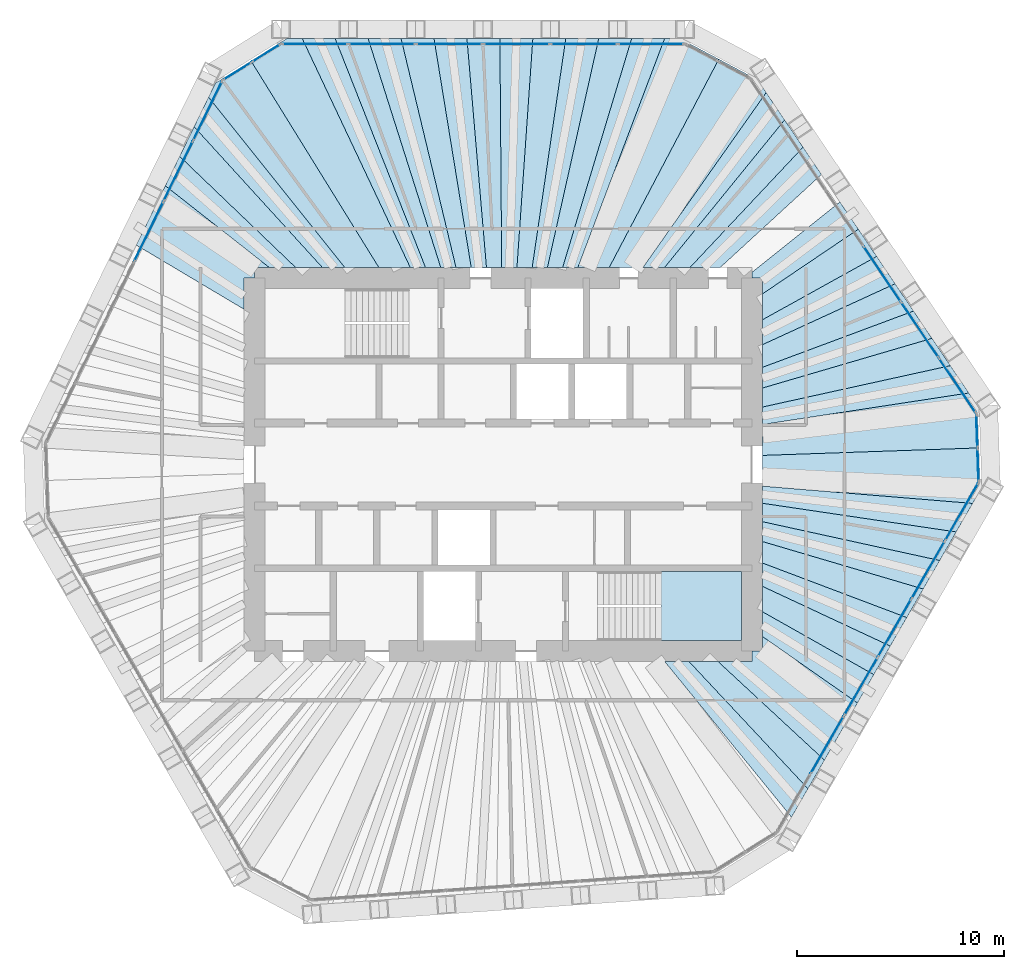
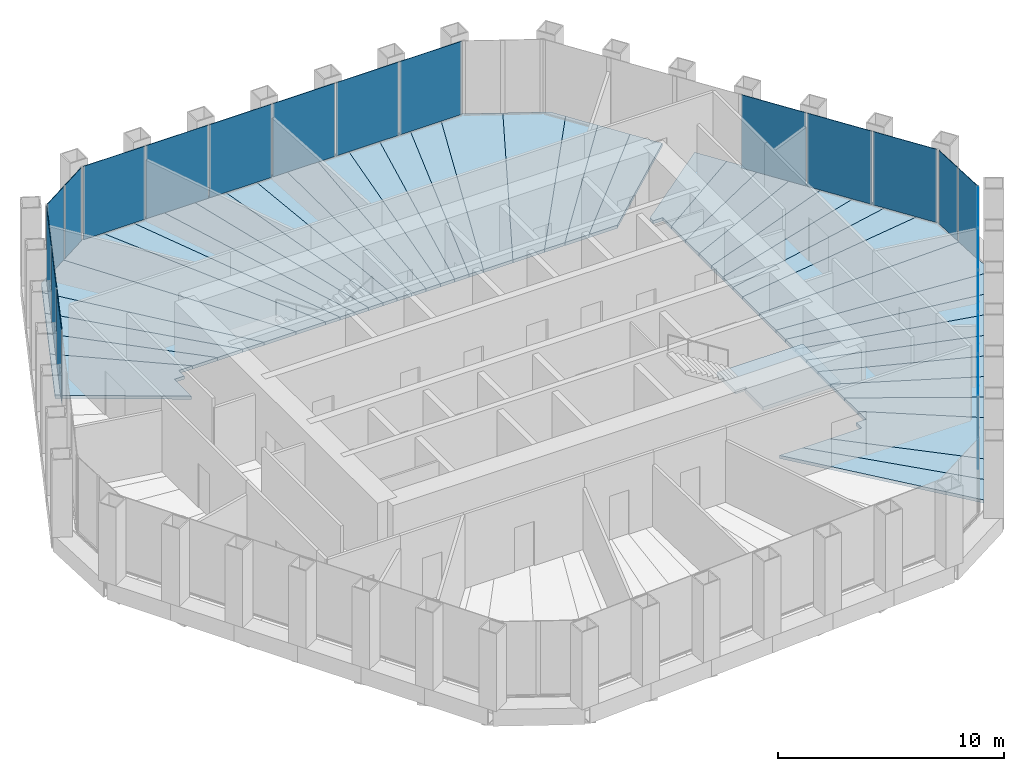
# One storey, part 10 of 14: 42 slabs, 21 plates, 7 elements without a shape of their own.
"""IFC4 building model written with IfcOpenShell, lengths in metres."""

from ifc_helpers import new_model, si_unit, direction, frame, origin, origin_2d, place, context, subcontext, project, spatial, polyline, rectangle, outline, extrude, material, layer, layer_set, type_object, element, aggregate, save


model = new_model("IFC4")

# Units and contexts
model_context = context("Model", 3, precision=1e-05, world=origin(), true_north=direction((0.0, 1.0)))
body_context = subcontext(model_context, "Body", "Model", "MODEL_VIEW")
ifc_project = project(units=[si_unit("LENGTHUNIT", "METRE"), si_unit("AREAUNIT", "SQUARE_METRE"), si_unit("VOLUMEUNIT", "CUBIC_METRE"), si_unit("PLANEANGLEUNIT", "RADIAN"), si_unit("MASSUNIT", "GRAM", prefix="KILO")], contexts=[model_context])

# Site, building, storey
site_placement = place(None, origin())
site = spatial("IfcSite", under=ifc_project, at=site_placement, CompositionType="ELEMENT")
building_placement = place(site_placement, origin())
building = spatial("IfcBuilding", under=site, at=building_placement, Name="Qingtian Harvest Tower", CompositionType="ELEMENT")
storey_placement = place(building_placement, frame((0.0, 0.0, 266.199951171875)))
storey = spatial("IfcBuildingStorey", under=building, at=storey_placement, Name="L58", CompositionType="ELEMENT", Elevation=266.199951171875)

# Slabs
ifc_material_1 = material(Name="Concrete fc' 35 MPa", Category="concrete")
ifc_layer_1 = layer(ifc_material_1, 0.169921875)
ifc_layer_set_1 = layer_set([ifc_layer_1], Name="Composite floor slab FS17 170")
slab_type_1 = type_object("IfcSlabType", Name="Composite floor slab FS17 170", PredefinedType="FLOOR", material=ifc_layer_set_1)
slab_1_placement = place(storey_placement, frame((0.0, 0.0, -0.169921875)))
element("IfcSlab", 1, at=slab_1_placement, inside=storey, type_object=slab_type_1, Name="Floor slab L58 panel D28", PredefinedType="FLOOR", context=body_context, shape_type="SweptSolid", body=[
    extrude(outline(polyline([(8.957275390625, -9.5), (14.703857421875, -15.64208984375), (13.908935546875, -17.01904296875), (7.78515625, -9.5), (8.957275390625, -9.5)])), origin(), (0.0, 0.0, 1.0), 0.169921875),
])
slab_2_placement = place(storey_placement, frame((0.0, 0.0, -0.169921875)))
element("IfcSlab", 2, at=slab_2_placement, inside=storey, type_object=slab_type_1, Name="Floor slab L58 panel D29", PredefinedType="FLOOR", context=body_context, shape_type="SweptSolid", body=[
    extrude(outline(polyline([(10.35693359375, -9.5), (15.498779296875, -14.26513671875), (14.703857421875, -15.64208984375), (8.957275390625, -9.5), (10.35693359375, -9.5)])), origin(), (0.0, 0.0, 1.0), 0.169921875),
])
slab_3_placement = place(storey_placement, frame((0.0, 0.0, -0.169921875)))
element("IfcSlab", 3, at=slab_3_placement, inside=storey, type_object=slab_type_1, Name="Floor slab L58 panel D31", PredefinedType="FLOOR", context=body_context, shape_type="SweptSolid", body=[
    extrude(outline(polyline([(12.5, -8.29443359375), (17.091552734375, -11.506591796875), (15.498779296875, -14.26513671875), (10.35693359375, -9.5), (12.0, -9.5), (12.0, -9.0), (12.5, -9.0), (12.5, -8.29443359375)])), origin(), (0.0, 0.0, 1.0), 0.169921875),
])
slab_4_placement = place(storey_placement, frame((0.0, 0.0, -0.169921875)))
element("IfcSlab", 4, at=slab_4_placement, inside=storey, type_object=slab_type_1, Name="Floor slab L58 panel D32", PredefinedType="FLOOR", context=body_context, shape_type="SweptSolid", body=[
    extrude(outline(polyline([(12.5, -7.099853515625), (17.882080078125, -10.137451171875), (17.091552734375, -11.506591796875), (12.5, -8.29443359375), (12.5, -7.099853515625)])), origin(), (0.0, 0.0, 1.0), 0.169921875),
])
slab_5_placement = place(storey_placement, frame((0.0, 0.0, -0.169921875)))
element("IfcSlab", 5, at=slab_5_placement, inside=storey, type_object=slab_type_1, Name="Floor slab L58 panel D33", PredefinedType="FLOOR", context=body_context, shape_type="SweptSolid", body=[
    extrude(outline(polyline([(12.5, -5.875244140625), (18.677001953125, -8.760498046875), (17.882080078125, -10.137451171875), (12.5, -7.099853515625), (12.5, -5.875244140625)])), origin(), (0.0, 0.0, 1.0), 0.169921875),
])
slab_6_placement = place(storey_placement, frame((0.0, 0.0, -0.169921875)))
element("IfcSlab", 6, at=slab_6_placement, inside=storey, type_object=slab_type_1, Name="Floor slab L58 panel D34", PredefinedType="FLOOR", context=body_context, shape_type="SweptSolid", body=[
    extrude(outline(polyline([(12.5, -4.750732421875), (19.4716796875, -7.3837890625), (18.677001953125, -8.760498046875), (12.5, -5.875244140625), (12.5, -4.750732421875)])), origin(), (0.0, 0.0, 1.0), 0.169921875),
])
slab_7_placement = place(storey_placement, frame((0.0, 0.0, -0.169921875)))
element("IfcSlab", 7, at=slab_7_placement, inside=storey, type_object=slab_type_1, Name="Floor slab L58 panel D35", PredefinedType="FLOOR", context=body_context, shape_type="SweptSolid", body=[
    extrude(outline(polyline([(12.5, -3.714599609375), (20.2666015625, -6.007080078125), (19.4716796875, -7.3837890625), (12.5, -4.750732421875), (12.5, -3.714599609375)])), origin(), (0.0, 0.0, 1.0), 0.169921875),
])
slab_8_placement = place(storey_placement, frame((0.0, 0.0, -0.169921875)))
element("IfcSlab", 8, at=slab_8_placement, inside=storey, type_object=slab_type_1, Name="Floor slab L58 panel D36", PredefinedType="FLOOR", context=body_context, shape_type="SweptSolid", body=[
    extrude(outline(polyline([(12.5, -2.756591796875), (21.0615234375, -4.630615234375), (20.2666015625, -6.007080078125), (12.5, -3.714599609375), (12.5, -2.756591796875)])), origin(), (0.0, 0.0, 1.0), 0.169921875),
])
slab_9_placement = place(storey_placement, frame((0.0, 0.0, -0.169921875)))
element("IfcSlab", 9, at=slab_9_placement, inside=storey, type_object=slab_type_1, Name="Floor slab L58 panel D37", PredefinedType="FLOOR", context=body_context, shape_type="SweptSolid", body=[
    extrude(outline(polyline([(12.5, -1.868408203125), (21.856201171875, -3.25390625), (21.0615234375, -4.630615234375), (12.5, -2.756591796875), (12.5, -1.868408203125)])), origin(), (0.0, 0.0, 1.0), 0.169921875),
])
slab_10_placement = place(storey_placement, frame((0.0, 0.0, -0.169921875)))
element("IfcSlab", 10, at=slab_10_placement, inside=storey, type_object=slab_type_1, Name="Floor slab L58 panel D38", PredefinedType="FLOOR", context=body_context, shape_type="SweptSolid", body=[
    extrude(outline(polyline([(12.5, -1.042724609375), (22.651123046875, -1.877197265625), (21.856201171875, -3.25390625), (12.5, -1.868408203125), (12.5, -1.042724609375)])), origin(), (0.0, 0.0, 1.0), 0.169921875),
])
slab_11_placement = place(storey_placement, frame((0.0, 0.0, -0.169921875)))
element("IfcSlab", 11, at=slab_11_placement, inside=storey, type_object=slab_type_1, Name="Floor slab L58 panel D39", PredefinedType="FLOOR", context=body_context, shape_type="SweptSolid", body=[
    extrude(outline(polyline([(12.5, -1.042724609375), (12.5, 0.439697265625), (22.9521484375, 0.8017578125), (23.023193359375, -1.232666015625), (22.651123046875, -1.877197265625), (12.5, -1.042724609375)])), origin(), (0.0, 0.0, 1.0), 0.169921875),
])
slab_12_placement = place(storey_placement, frame((0.0, 0.0, -0.169921875)))
element("IfcSlab", 12, at=slab_12_placement, inside=storey, type_object=slab_type_1, Name="Floor slab L58 panel D40", PredefinedType="FLOOR", context=body_context, shape_type="SweptSolid", body=[
    extrude(outline(polyline([(12.5, 0.439697265625), (12.5, 1.928955078125), (22.46484375, 3.45263671875), (22.881103515625, 2.835693359375), (22.9521484375, 0.8017578125), (12.5, 0.439697265625)])), origin(), (0.0, 0.0, 1.0), 0.169921875),
])
slab_13_placement = place(storey_placement, frame((0.0, 0.0, -0.169921875)))
element("IfcSlab", 13, at=slab_13_placement, inside=storey, type_object=slab_type_1, Name="Floor slab L58 panel D41", PredefinedType="FLOOR", context=body_context, shape_type="SweptSolid", body=[
    extrude(outline(polyline([(12.5, 2.772705078125), (21.575927734375, 4.7705078125), (22.46484375, 3.45263671875), (12.5, 1.928955078125), (12.5, 2.772705078125)])), origin(), (0.0, 0.0, 1.0), 0.169921875),
])
slab_14_placement = place(storey_placement, frame((0.0, 0.0, -0.169921875)))
element("IfcSlab", 14, at=slab_14_placement, inside=storey, type_object=slab_type_1, Name="Floor slab L58 panel D42", PredefinedType="FLOOR", context=body_context, shape_type="SweptSolid", body=[
    extrude(outline(polyline([(12.5, 3.688720703125), (20.68701171875, 6.08837890625), (21.575927734375, 4.7705078125), (12.5, 2.772705078125), (12.5, 3.688720703125)])), origin(), (0.0, 0.0, 1.0), 0.169921875),
])
slab_15_placement = place(storey_placement, frame((0.0, 0.0, -0.169921875)))
element("IfcSlab", 15, at=slab_15_placement, inside=storey, type_object=slab_type_1, Name="Floor slab L58 panel D43", PredefinedType="FLOOR", context=body_context, shape_type="SweptSolid", body=[
    extrude(outline(polyline([(12.5, 4.6875), (19.798095703125, 7.40625), (20.68701171875, 6.08837890625), (12.5, 3.688720703125), (12.5, 4.6875)])), origin(), (0.0, 0.0, 1.0), 0.169921875),
])
slab_16_placement = place(storey_placement, frame((0.0, 0.0, -0.169921875)))
element("IfcSlab", 16, at=slab_16_placement, inside=storey, type_object=slab_type_1, Name="Floor slab L58 panel D44", PredefinedType="FLOOR", context=body_context, shape_type="SweptSolid", body=[
    extrude(outline(polyline([(12.5, 5.780029296875), (18.9091796875, 8.724365234375), (19.798095703125, 7.40625), (12.5, 4.6875), (12.5, 5.780029296875)])), origin(), (0.0, 0.0, 1.0), 0.169921875),
])
slab_17_placement = place(storey_placement, frame((0.0, 0.0, -0.169921875)))
element("IfcSlab", 17, at=slab_17_placement, inside=storey, type_object=slab_type_1, Name="Floor slab L58 panel D45", PredefinedType="FLOOR", context=body_context, shape_type="SweptSolid", body=[
    extrude(outline(polyline([(12.5, 6.980712890625), (18.020263671875, 10.042236328125), (18.9091796875, 8.724365234375), (12.5, 5.780029296875), (12.5, 6.980712890625)])), origin(), (0.0, 0.0, 1.0), 0.169921875),
])
slab_18_placement = place(storey_placement, frame((0.0, 0.0, -0.169921875)))
element("IfcSlab", 18, at=slab_18_placement, inside=storey, type_object=slab_type_1, Name="Floor slab L58 panel D46", PredefinedType="FLOOR", context=body_context, shape_type="SweptSolid", body=[
    extrude(outline(polyline([(12.5, 8.22998046875), (17.1337890625, 11.3564453125), (18.020263671875, 10.042236328125), (12.5, 6.980712890625), (12.5, 8.22998046875)])), origin(), (0.0, 0.0, 1.0), 0.169921875),
])
slab_19_placement = place(storey_placement, frame((0.0, 0.0, -0.169921875)))
element("IfcSlab", 19, at=slab_19_placement, inside=storey, type_object=slab_type_1, Name="Floor slab L58 panel D47", PredefinedType="FLOOR", context=body_context, shape_type="SweptSolid", body=[
    extrude(outline(polyline([(12.5, 9.0), (12.0, 9.0), (12.0, 9.2734375), (16.24609375, 12.672607421875), (17.1337890625, 11.3564453125), (12.5, 8.22998046875), (12.5, 9.0)])), origin(), (0.0, 0.0, 1.0), 0.169921875),
])
slab_20_placement = place(storey_placement, frame((0.0, 0.0, -0.169921875)))
element("IfcSlab", 20, at=slab_20_placement, inside=storey, type_object=slab_type_1, Name="Floor slab L58 panel D49", PredefinedType="FLOOR", context=body_context, shape_type="SweptSolid", body=[
    extrude(outline(polyline([(9.002685546875, 9.5), (14.4658203125, 15.31201171875), (15.35498046875, 13.99365234375), (10.4599609375, 9.5), (9.002685546875, 9.5)])), origin(), (0.0, 0.0, 1.0), 0.169921875),
])
slab_21_placement = place(storey_placement, frame((0.0, 0.0, -0.169921875)))
element("IfcSlab", 21, at=slab_21_placement, inside=storey, type_object=slab_type_1, Name="Floor slab L58 panel D50", PredefinedType="FLOOR", context=body_context, shape_type="SweptSolid", body=[
    extrude(outline(polyline([(7.77734375, 9.5), (13.57666015625, 16.6298828125), (14.4658203125, 15.31201171875), (9.002685546875, 9.5), (7.77734375, 9.5)])), origin(), (0.0, 0.0, 1.0), 0.169921875),
])
slab_22_placement = place(storey_placement, frame((0.0, 0.0, -0.169921875)))
element("IfcSlab", 22, at=slab_22_placement, inside=storey, type_object=slab_type_1, Name="Floor slab L58 panel D51", PredefinedType="FLOOR", context=body_context, shape_type="SweptSolid", body=[
    extrude(outline(polyline([(6.73291015625, 9.5), (12.687744140625, 17.947998046875), (13.57666015625, 16.6298828125), (7.77734375, 9.5), (6.73291015625, 9.5)])), origin(), (0.0, 0.0, 1.0), 0.169921875),
])
slab_23_placement = place(storey_placement, frame((0.0, 0.0, -0.169921875)))
element("IfcSlab", 23, at=slab_23_placement, inside=storey, type_object=slab_type_1, Name="Floor slab L58 panel D52", PredefinedType="FLOOR", context=body_context, shape_type="SweptSolid", body=[
    extrude(outline(polyline([(6.73291015625, 9.5), (5.108154296875, 9.5), (10.402099609375, 19.55908203125), (12.271240234375, 18.5654296875), (12.687744140625, 17.947998046875), (6.73291015625, 9.5)])), origin(), (0.0, 0.0, 1.0), 0.169921875),
])
slab_24_placement = place(storey_placement, frame((0.0, 0.0, -0.169921875)))
element("IfcSlab", 24, at=slab_24_placement, inside=storey, type_object=slab_type_1, Name="Floor slab L58 panel D53", PredefinedType="FLOOR", context=body_context, shape_type="SweptSolid", body=[
    extrude(outline(polyline([(3.59814453125, 9.5), (7.785400390625, 20.554931640625), (8.529296875, 20.554931640625), (10.402099609375, 19.55908203125), (5.108154296875, 9.5), (3.59814453125, 9.5)])), origin(), (0.0, 0.0, 1.0), 0.169921875),
])
slab_25_placement = place(storey_placement, frame((0.0, 0.0, -0.169921875)))
element("IfcSlab", 25, at=slab_25_placement, inside=storey, type_object=slab_type_1, Name="Floor slab L58 panel D54", PredefinedType="FLOOR", context=body_context, shape_type="SweptSolid", body=[
    extrude(outline(polyline([(2.863525390625, 9.5), (6.19580078125, 20.554931640625), (7.785400390625, 20.554931640625), (3.59814453125, 9.5), (2.863525390625, 9.5)])), origin(), (0.0, 0.0, 1.0), 0.169921875),
])
slab_26_placement = place(storey_placement, frame((0.0, 0.0, -0.169921875)))
element("IfcSlab", 26, at=slab_26_placement, inside=storey, type_object=slab_type_1, Name="Floor slab L58 panel D55", PredefinedType="FLOOR", context=body_context, shape_type="SweptSolid", body=[
    extrude(outline(polyline([(2.12890625, 9.5), (4.606201171875, 20.554931640625), (6.19580078125, 20.554931640625), (2.863525390625, 9.5), (2.12890625, 9.5)])), origin(), (0.0, 0.0, 1.0), 0.169921875),
])
slab_27_placement = place(storey_placement, frame((0.0, 0.0, -0.169921875)))
element("IfcSlab", 27, at=slab_27_placement, inside=storey, type_object=slab_type_1, Name="Floor slab L58 panel D56", PredefinedType="FLOOR", context=body_context, shape_type="SweptSolid", body=[
    extrude(outline(polyline([(1.394287109375, 9.5), (3.0166015625, 20.554931640625), (4.606201171875, 20.554931640625), (2.12890625, 9.5), (1.394287109375, 9.5)])), origin(), (0.0, 0.0, 1.0), 0.169921875),
])
slab_28_placement = place(storey_placement, frame((0.0, 0.0, -0.169921875)))
element("IfcSlab", 28, at=slab_28_placement, inside=storey, type_object=slab_type_1, Name="Floor slab L58 panel D57", PredefinedType="FLOOR", context=body_context, shape_type="SweptSolid", body=[
    extrude(outline(polyline([(0.659423828125, 9.5), (1.427001953125, 20.554931640625), (3.0166015625, 20.554931640625), (1.394287109375, 9.5), (0.659423828125, 9.5)])), origin(), (0.0, 0.0, 1.0), 0.169921875),
])
slab_29_placement = place(storey_placement, frame((0.0, 0.0, -0.169921875)))
element("IfcSlab", 29, at=slab_29_placement, inside=storey, type_object=slab_type_1, Name="Floor slab L58 panel D58", PredefinedType="FLOOR", context=body_context, shape_type="SweptSolid", body=[
    extrude(outline(polyline([(-0.0751953125, 9.5), (-0.16259765625, 20.554931640625), (1.427001953125, 20.554931640625), (0.659423828125, 9.5), (-0.0751953125, 9.5)])), origin(), (0.0, 0.0, 1.0), 0.169921875),
])
slab_30_placement = place(storey_placement, frame((0.0, 0.0, -0.169921875)))
element("IfcSlab", 30, at=slab_30_placement, inside=storey, type_object=slab_type_1, Name="Floor slab L58 panel D59", PredefinedType="FLOOR", context=body_context, shape_type="SweptSolid", body=[
    extrude(outline(polyline([(-0.809814453125, 9.5), (-1.752197265625, 20.554931640625), (-0.16259765625, 20.554931640625), (-0.0751953125, 9.5), (-0.809814453125, 9.5)])), origin(), (0.0, 0.0, 1.0), 0.169921875),
])
slab_31_placement = place(storey_placement, frame((0.0, 0.0, -0.169921875)))
element("IfcSlab", 31, at=slab_31_placement, inside=storey, type_object=slab_type_1, Name="Floor slab L58 panel D60", PredefinedType="FLOOR", context=body_context, shape_type="SweptSolid", body=[
    extrude(outline(polyline([(-1.54443359375, 9.5), (-3.341796875, 20.554931640625), (-1.752197265625, 20.554931640625), (-0.809814453125, 9.5), (-1.54443359375, 9.5)])), origin(), (0.0, 0.0, 1.0), 0.169921875),
])
slab_32_placement = place(storey_placement, frame((0.0, 0.0, -0.169921875)))
element("IfcSlab", 32, at=slab_32_placement, inside=storey, type_object=slab_type_1, Name="Floor slab L58 panel D61", PredefinedType="FLOOR", context=body_context, shape_type="SweptSolid", body=[
    extrude(outline(polyline([(-2.279296875, 9.5), (-4.931396484375, 20.554931640625), (-3.341796875, 20.554931640625), (-1.54443359375, 9.5), (-2.279296875, 9.5)])), origin(), (0.0, 0.0, 1.0), 0.169921875),
])
slab_33_placement = place(storey_placement, frame((0.0, 0.0, -0.169921875)))
element("IfcSlab", 33, at=slab_33_placement, inside=storey, type_object=slab_type_1, Name="Floor slab L58 panel D62", PredefinedType="FLOOR", context=body_context, shape_type="SweptSolid", body=[
    extrude(outline(polyline([(-3.013916015625, 9.5), (-6.52099609375, 20.554931640625), (-4.931396484375, 20.554931640625), (-2.279296875, 9.5), (-3.013916015625, 9.5)])), origin(), (0.0, 0.0, 1.0), 0.169921875),
])
slab_34_placement = place(storey_placement, frame((0.0, 0.0, -0.169921875)))
element("IfcSlab", 34, at=slab_34_placement, inside=storey, type_object=slab_type_1, Name="Floor slab L58 panel D63", PredefinedType="FLOOR", context=body_context, shape_type="SweptSolid", body=[
    extrude(outline(polyline([(-3.74853515625, 9.5), (-8.110595703125, 20.554931640625), (-6.52099609375, 20.554931640625), (-3.013916015625, 9.5), (-3.74853515625, 9.5)])), origin(), (0.0, 0.0, 1.0), 0.169921875),
])
slab_35_placement = place(storey_placement, frame((0.0, 0.0, -0.169921875)))
element("IfcSlab", 35, at=slab_35_placement, inside=storey, type_object=slab_type_1, Name="Floor slab L58 panel D64", PredefinedType="FLOOR", context=body_context, shape_type="SweptSolid", body=[
    extrude(outline(polyline([(-4.483154296875, 9.5), (-9.7001953125, 20.554931640625), (-8.110595703125, 20.554931640625), (-3.74853515625, 9.5), (-4.483154296875, 9.5)])), origin(), (0.0, 0.0, 1.0), 0.169921875),
])
slab_36_placement = place(storey_placement, frame((0.0, 0.0, -0.169921875)))
element("IfcSlab", 36, at=slab_36_placement, inside=storey, type_object=slab_type_1, Name="Floor slab L58 panel D65", PredefinedType="FLOOR", context=body_context, shape_type="SweptSolid", body=[
    extrude(outline(polyline([(-4.483154296875, 9.5), (-5.998291015625, 9.5), (-12.172119140625, 19.475341796875), (-10.444091796875, 20.554931640625), (-9.7001953125, 20.554931640625), (-4.483154296875, 9.5)])), origin(), (0.0, 0.0, 1.0), 0.169921875),
])
slab_37_placement = place(storey_placement, frame((0.0, 0.0, -0.169921875)))
element("IfcSlab", 37, at=slab_37_placement, inside=storey, type_object=slab_type_1, Name="Floor slab L58 panel D66", PredefinedType="FLOOR", context=body_context, shape_type="SweptSolid", body=[
    extrude(outline(polyline([(-5.998291015625, 9.5), (-7.640869140625, 9.5), (-14.22265625, 17.728515625), (-13.896240234375, 18.39794921875), (-12.172119140625, 19.475341796875), (-5.998291015625, 9.5)])), origin(), (0.0, 0.0, 1.0), 0.169921875),
])
slab_38_placement = place(storey_placement, frame((0.0, 0.0, -0.169921875)))
element("IfcSlab", 38, at=slab_38_placement, inside=storey, type_object=slab_type_1, Name="Floor slab L58 panel D67", PredefinedType="FLOOR", context=body_context, shape_type="SweptSolid", body=[
    extrude(outline(polyline([(-8.720703125, 9.5), (-14.919677734375, 16.299560546875), (-14.22265625, 17.728515625), (-7.640869140625, 9.5), (-8.720703125, 9.5)])), origin(), (0.0, 0.0, 1.0), 0.169921875),
])
slab_39_placement = place(storey_placement, frame((0.0, 0.0, -0.169921875)))
element("IfcSlab", 39, at=slab_39_placement, inside=storey, type_object=slab_type_1, Name="Floor slab L58 panel D68", PredefinedType="FLOOR", context=body_context, shape_type="SweptSolid", body=[
    extrude(outline(polyline([(-10.00927734375, 9.5), (-15.61669921875, 14.87060546875), (-14.919677734375, 16.299560546875), (-8.720703125, 9.5), (-10.00927734375, 9.5)])), origin(), (0.0, 0.0, 1.0), 0.169921875),
])
slab_40_placement = place(storey_placement, frame((0.0, 0.0, -0.169921875)))
element("IfcSlab", 40, at=slab_40_placement, inside=storey, type_object=slab_type_1, Name="Floor slab L58 panel D69", PredefinedType="FLOOR", context=body_context, shape_type="SweptSolid", body=[
    extrude(outline(polyline([(-11.28125, 9.5), (-16.30810546875, 13.45263671875), (-15.61669921875, 14.87060546875), (-10.00927734375, 9.5), (-11.28125, 9.5)])), origin(), (0.0, 0.0, 1.0), 0.169921875),
])
slab_41_placement = place(storey_placement, frame((0.0, 0.0, -0.169921875)))
element("IfcSlab", 41, at=slab_41_placement, inside=storey, type_object=slab_type_1, Name="Floor slab L58 panel D70", PredefinedType="FLOOR", context=body_context, shape_type="SweptSolid", body=[
    extrude(outline(polyline([(-12.0, 9.0), (-12.5, 9.0), (-12.5, 7.48583984375), (-17.706298828125, 10.58642578125), (-16.30810546875, 13.45263671875), (-11.28125, 9.5), (-12.0, 9.5), (-12.0, 9.0)])), origin(), (0.0, 0.0, 1.0), 0.169921875),
])

# Curtain wall, plates
ifc_material_2 = material(Name="Bronze-anodised aluminium curtain wall", Category="aluminium")
curtain_wall_type = type_object("IfcCurtainWallType", Name="Curtain wall CW5 upper office", PredefinedType="USERDEFINED", material=ifc_material_2)
curtain_wall_1_placement = place(storey_placement, origin())
curtain_wall_1 = element("IfcCurtainWall", 42, at=curtain_wall_1_placement, inside=storey, type_object=curtain_wall_type, Name="Curtain wall CW5 L58 N0-5", ObjectType="RECESSED CURTAIN WALL", PredefinedType="USERDEFINED")
ifc_material_3 = material(Name="Bronze-tinted laminated insulating glass", Category="glass")
ifc_layer_2 = layer(ifc_material_3, 0.030029296875)
ifc_layer_set_2 = layer_set([ifc_layer_2], Name="Glazed panel CWP tinted IGU")
plate_type = type_object("IfcPlateType", Name="Glazed panel CWP tinted IGU", PredefinedType="CURTAIN_PANEL", material=ifc_layer_set_2)
plate_1_placement = place(storey_placement, frame((-9.08203125, 20.300048828125, 0.06494140625), z_axis=(0.0, 0.0, 1.0), x_axis=(1.0, 0.0, 0.0)))
plate_1 = element("IfcPlate", 43, at=plate_1_placement, type_object=plate_type, Name="CW5 panel 1.1", PredefinedType="CURTAIN_PANEL", context=body_context, shape_type="SweptSolid", body=[
    extrude(rectangle(XDim=3.150634765625, YDim=0.030029296875, at=origin_2d()), origin(), (0.0, 0.0, 1.0), 3.965087890625),
])
plate_2_placement = place(storey_placement, frame((-5.85009765625, 20.300048828125, 0.06494140625), z_axis=(0.0, 0.0, 1.0), x_axis=(1.0, 0.0, 0.0)))
plate_2 = element("IfcPlate", 44, at=plate_2_placement, type_object=plate_type, Name="CW5 panel 2.1", PredefinedType="CURTAIN_PANEL", context=body_context, shape_type="SweptSolid", body=[
    extrude(rectangle(XDim=3.18310546875, YDim=0.030029296875, at=origin_2d()), origin(), (0.0, 0.0, 1.0), 3.965087890625),
])
plate_3_placement = place(storey_placement, frame((-2.602294921875, 20.300048828125, 0.06494140625), z_axis=(0.0, 0.0, 1.0), x_axis=(1.0, 0.0, 0.0)))
plate_3 = element("IfcPlate", 45, at=plate_3_placement, type_object=plate_type, Name="CW5 panel 3.1", PredefinedType="CURTAIN_PANEL", context=body_context, shape_type="SweptSolid", body=[
    extrude(rectangle(XDim=3.18310546875, YDim=0.030029296875, at=origin_2d()), origin(), (0.0, 0.0, 1.0), 3.965087890625),
])
plate_4_placement = place(storey_placement, frame((0.645751953125, 20.300048828125, 0.06494140625), z_axis=(0.0, 0.0, 1.0), x_axis=(1.0, 0.0, 0.0)))
plate_4 = element("IfcPlate", 46, at=plate_4_placement, type_object=plate_type, Name="CW5 panel 4.1", PredefinedType="CURTAIN_PANEL", context=body_context, shape_type="SweptSolid", body=[
    extrude(rectangle(XDim=3.18310546875, YDim=0.030029296875, at=origin_2d()), origin(), (0.0, 0.0, 1.0), 3.965087890625),
])
plate_5_placement = place(storey_placement, frame((3.893798828125, 20.300048828125, 0.06494140625), z_axis=(0.0, 0.0, 1.0), x_axis=(1.0, 0.0, 0.0)))
plate_5 = element("IfcPlate", 47, at=plate_5_placement, type_object=plate_type, Name="CW5 panel 5.1", PredefinedType="CURTAIN_PANEL", context=body_context, shape_type="SweptSolid", body=[
    extrude(rectangle(XDim=3.18310546875, YDim=0.030029296875, at=origin_2d()), origin(), (0.0, 0.0, 1.0), 3.965087890625),
])
plate_6_placement = place(storey_placement, frame((7.125732421875, 20.300048828125, 0.06494140625), z_axis=(0.0, 0.0, 1.0), x_axis=(1.0, 0.0, 0.0)))
plate_6 = element("IfcPlate", 48, at=plate_6_placement, type_object=plate_type, Name="CW5 panel 6.1", PredefinedType="CURTAIN_PANEL", context=body_context, shape_type="SweptSolid", body=[
    extrude(rectangle(XDim=3.150634765625, YDim=0.030029296875, at=origin_2d()), origin(), (0.0, 0.0, 1.0), 3.965087890625),
])
aggregate(curtain_wall_1, [plate_1, plate_2, plate_3, plate_4, plate_5, plate_6])

curtain_wall_2_placement = place(storey_placement, origin())
curtain_wall_2 = element("IfcCurtainWall", 49, at=curtain_wall_2_placement, inside=storey, type_object=curtain_wall_type, Name="Curtain wall CW5 L58 NE0-5", ObjectType="RECESSED CURTAIN WALL", PredefinedType="USERDEFINED")
plate_7_placement = place(storey_placement, frame((18.28466796875, 9.1943359375, 0.06494140625), z_axis=(0.0, 0.0, 1.0), x_axis=(0.559192903471, -0.829037572555, 0.0)))
plate_7 = element("IfcPlate", 50, at=plate_7_placement, type_object=plate_type, Name="CW5 panel 4.1", PredefinedType="CURTAIN_PANEL", context=body_context, shape_type="SweptSolid", body=[
    extrude(rectangle(XDim=3.18310546875, YDim=0.030029296875, at=origin_2d()), origin(), (0.0, 0.0, 1.0), 3.965087890625),
])
plate_8_placement = place(storey_placement, frame((20.100830078125, 6.50146484375, 0.06494140625), z_axis=(0.0, 0.0, 1.0), x_axis=(0.559192903471, -0.829037572555, 0.0)))
plate_8 = element("IfcPlate", 51, at=plate_8_placement, type_object=plate_type, Name="CW5 panel 5.1", PredefinedType="CURTAIN_PANEL", context=body_context, shape_type="SweptSolid", body=[
    extrude(rectangle(XDim=3.18310546875, YDim=0.030029296875, at=origin_2d()), origin(), (0.0, 0.0, 1.0), 3.965087890625),
])
plate_9_placement = place(storey_placement, frame((21.907958984375, 3.822265625, 0.06494140625), z_axis=(0.0, 0.0, 1.0), x_axis=(0.559192903471, -0.829037572555, 0.0)))
plate_9 = element("IfcPlate", 52, at=plate_9_placement, type_object=plate_type, Name="CW5 panel 6.1", PredefinedType="CURTAIN_PANEL", context=body_context, shape_type="SweptSolid", body=[
    extrude(rectangle(XDim=3.150634765625, YDim=0.030029296875, at=origin_2d()), origin(), (0.0, 0.0, 1.0), 3.965087890625),
])
aggregate(curtain_wall_2, [plate_7, plate_8, plate_9])

curtain_wall_3_placement = place(storey_placement, origin())
curtain_wall_3 = element("IfcCurtainWall", 53, at=curtain_wall_3_placement, inside=storey, type_object=curtain_wall_type, Name="Curtain wall CW5 L58 NEC", ObjectType="RECESSED CURTAIN WALL", PredefinedType="USERDEFINED")
plate_10_placement = place(storey_placement, frame((22.85498046875, 1.614501953125, 0.06494140625), z_axis=(0.0, 0.0, 1.0), x_axis=(0.034899496703, -0.999390827019, 0.0)))
plate_10 = element("IfcPlate", 54, at=plate_10_placement, type_object=plate_type, Name="CW5 panel 1.1", PredefinedType="CURTAIN_PANEL", context=body_context, shape_type="SweptSolid", body=[
    extrude(rectangle(XDim=1.56689453125, YDim=0.030029296875, at=origin_2d()), origin(), (0.0, 0.0, 1.0), 3.965087890625),
])
plate_11_placement = place(storey_placement, frame((22.911865234375, -0.016357421875, 0.06494140625), z_axis=(0.0, 0.0, 1.0), x_axis=(0.034899496703, -0.999390827019, 0.0)))
plate_11 = element("IfcPlate", 55, at=plate_11_placement, type_object=plate_type, Name="CW5 panel 2.1", PredefinedType="CURTAIN_PANEL", context=body_context, shape_type="SweptSolid", body=[
    extrude(rectangle(XDim=1.56689453125, YDim=0.030029296875, at=origin_2d()), origin(), (0.0, 0.0, 1.0), 3.965087890625),
])
aggregate(curtain_wall_3, [plate_10, plate_11])

curtain_wall_4_placement = place(storey_placement, origin())
curtain_wall_4 = element("IfcCurtainWall", 56, at=curtain_wall_4_placement, inside=storey, type_object=curtain_wall_type, Name="Curtain wall CW5 L58 SE0-5", ObjectType="RECESSED CURTAIN WALL", PredefinedType="USERDEFINED")
plate_12_placement = place(storey_placement, frame((22.121337890625, -2.28466796875, 0.06494140625), z_axis=(0.0, 0.0, 1.0), x_axis=(-0.5, -0.866025403784, 0.0)))
plate_12 = element("IfcPlate", 57, at=plate_12_placement, type_object=plate_type, Name="CW5 panel 1.1", PredefinedType="CURTAIN_PANEL", context=body_context, shape_type="SweptSolid", body=[
    extrude(rectangle(XDim=3.150634765625, YDim=0.030029296875, at=origin_2d()), origin(), (0.0, 0.0, 1.0), 3.965087890625),
])
plate_13_placement = place(storey_placement, frame((20.50537109375, -5.08349609375, 0.06494140625), z_axis=(0.0, 0.0, 1.0), x_axis=(-0.5, -0.866025403784, 0.0)))
plate_13 = element("IfcPlate", 58, at=plate_13_placement, type_object=plate_type, Name="CW5 panel 2.1", PredefinedType="CURTAIN_PANEL", context=body_context, shape_type="SweptSolid", body=[
    extrude(rectangle(XDim=3.18310546875, YDim=0.030029296875, at=origin_2d()), origin(), (0.0, 0.0, 1.0), 3.965087890625),
])
plate_14_placement = place(storey_placement, frame((18.88134765625, -7.896484375, 0.06494140625), z_axis=(0.0, 0.0, 1.0), x_axis=(-0.5, -0.866025403784, 0.0)))
plate_14 = element("IfcPlate", 59, at=plate_14_placement, type_object=plate_type, Name="CW5 panel 3.1", PredefinedType="CURTAIN_PANEL", context=body_context, shape_type="SweptSolid", body=[
    extrude(rectangle(XDim=3.18310546875, YDim=0.030029296875, at=origin_2d()), origin(), (0.0, 0.0, 1.0), 3.965087890625),
])
plate_15_placement = place(storey_placement, frame((17.25732421875, -10.709228515625, 0.06494140625), z_axis=(0.0, 0.0, 1.0), x_axis=(-0.5, -0.866025403784, 0.0)))
plate_15 = element("IfcPlate", 60, at=plate_15_placement, type_object=plate_type, Name="CW5 panel 4.1", PredefinedType="CURTAIN_PANEL", context=body_context, shape_type="SweptSolid", body=[
    extrude(rectangle(XDim=3.18310546875, YDim=0.030029296875, at=origin_2d()), origin(), (0.0, 0.0, 1.0), 3.965087890625),
])
plate_16_placement = place(storey_placement, frame((15.63330078125, -13.522216796875, 0.06494140625), z_axis=(0.0, 0.0, 1.0), x_axis=(-0.5, -0.866025403784, 0.0)))
plate_16 = element("IfcPlate", 61, at=plate_16_placement, type_object=plate_type, Name="CW5 panel 5.1", PredefinedType="CURTAIN_PANEL", context=body_context, shape_type="SweptSolid", body=[
    extrude(rectangle(XDim=3.18310546875, YDim=0.030029296875, at=origin_2d()), origin(), (0.0, 0.0, 1.0), 3.965087890625),
])
aggregate(curtain_wall_4, [plate_12, plate_13, plate_14, plate_15, plate_16])

curtain_wall_5_placement = place(storey_placement, origin())
curtain_wall_5 = element("IfcCurtainWall", 62, at=curtain_wall_5_placement, inside=storey, type_object=curtain_wall_type, Name="Curtain wall CW5 L58 NW0-5", ObjectType="RECESSED CURTAIN WALL", PredefinedType="USERDEFINED")
plate_17_placement = place(storey_placement, frame((-17.104736328125, 11.23779296875, 0.06494140625), z_axis=(0.0, 0.0, 1.0), x_axis=(0.438371146789, 0.898794046299, 0.0)))
plate_17 = element("IfcPlate", 63, at=plate_17_placement, type_object=plate_type, Name="CW5 panel 4.1", PredefinedType="CURTAIN_PANEL", context=body_context, shape_type="SweptSolid", body=[
    extrude(rectangle(XDim=3.18310546875, YDim=0.030029296875, at=origin_2d()), origin(), (0.0, 0.0, 1.0), 3.965087890625),
])
plate_18_placement = place(storey_placement, frame((-15.680908203125, 14.156982421875, 0.06494140625), z_axis=(0.0, 0.0, 1.0), x_axis=(0.438371146789, 0.898794046299, 0.0)))
plate_18 = element("IfcPlate", 64, at=plate_18_placement, type_object=plate_type, Name="CW5 panel 5.1", PredefinedType="CURTAIN_PANEL", context=body_context, shape_type="SweptSolid", body=[
    extrude(rectangle(XDim=3.18310546875, YDim=0.030029296875, at=origin_2d()), origin(), (0.0, 0.0, 1.0), 3.965087890625),
])
plate_19_placement = place(storey_placement, frame((-14.26416015625, 17.061767578125, 0.06494140625), z_axis=(0.0, 0.0, 1.0), x_axis=(0.438371146789, 0.898794046299, 0.0)))
plate_19 = element("IfcPlate", 65, at=plate_19_placement, type_object=plate_type, Name="CW5 panel 6.1", PredefinedType="CURTAIN_PANEL", context=body_context, shape_type="SweptSolid", body=[
    extrude(rectangle(XDim=3.150634765625, YDim=0.030029296875, at=origin_2d()), origin(), (0.0, 0.0, 1.0), 3.965087890625),
])
aggregate(curtain_wall_5, [plate_17, plate_18, plate_19])

curtain_wall_6_placement = place(storey_placement, origin())
curtain_wall_6 = element("IfcCurtainWall", 66, at=curtain_wall_6_placement, inside=storey, type_object=curtain_wall_type, Name="Curtain wall CW5 L58 NWC", ObjectType="RECESSED CURTAIN WALL", PredefinedType="USERDEFINED")
plate_20_placement = place(storey_placement, frame((-12.82568359375, 18.985595703125, 0.06494140625), z_axis=(0.0, 0.0, 1.0), x_axis=(0.848048096156, 0.529919264233, 0.0)))
plate_20 = element("IfcPlate", 67, at=plate_20_placement, type_object=plate_type, Name="CW5 panel 1.1", PredefinedType="CURTAIN_PANEL", context=body_context, shape_type="SweptSolid", body=[
    extrude(rectangle(XDim=1.56689453125, YDim=0.030029296875, at=origin_2d()), origin(), (0.0, 0.0, 1.0), 3.965087890625),
])
plate_21_placement = place(storey_placement, frame((-11.441650390625, 19.850341796875, 0.06494140625), z_axis=(0.0, 0.0, 1.0), x_axis=(0.848048096156, 0.529919264233, 0.0)))
plate_21 = element("IfcPlate", 68, at=plate_21_placement, type_object=plate_type, Name="CW5 panel 2.1", PredefinedType="CURTAIN_PANEL", context=body_context, shape_type="SweptSolid", body=[
    extrude(rectangle(XDim=1.56689453125, YDim=0.030029296875, at=origin_2d()), origin(), (0.0, 0.0, 1.0), 3.965087890625),
])
aggregate(curtain_wall_6, [plate_20, plate_21])

# Stair, slab
ifc_material_4 = material(Name="Concrete fc' 35 MPa", Category="concrete")
stair_type = type_object("IfcStairType", Name="Special stair ST6 4200", PredefinedType="HALF_TURN_STAIR", material=ifc_material_4)
stair_placement = place(storey_placement, origin())
stair = element("IfcStair", 69, at=stair_placement, inside=storey, type_object=stair_type, Name="Special stair S2 L58", PredefinedType="HALF_TURN_STAIR")
ifc_material_5 = material(Name="Concrete fc' 35 MPa", Category="concrete")
ifc_layer_3 = layer(ifc_material_5, 0.199951171875)
ifc_layer_set_3 = layer_set([ifc_layer_3], Name="Stair landing SL2 200")
slab_type_2 = type_object("IfcSlabType", Name="Stair landing SL2 200", PredefinedType="LANDING", material=ifc_layer_set_3)
slab_42_placement = place(storey_placement, frame((0.0, 0.0, 1.900146484375)))
slab_42 = element("IfcSlab", 70, at=slab_42_placement, type_object=slab_type_2, Name="S2 landing 2", PredefinedType="LANDING", context=body_context, shape_type="SweptSolid", body=[
    extrude(outline(polyline([(7.530029296875, -8.5), (7.530029296875, -6.875), (7.6298828125, -6.875), (7.6298828125, -6.77490234375), (7.094970703125, -6.77490234375), (7.094970703125, -5.14990234375), (11.5, -5.14990234375), (11.5, -8.5), (7.530029296875, -8.5)])), origin(), (0.0, 0.0, 1.0), 0.199951171875),
])
aggregate(stair, [slab_42])

save(model, "model.ifc")
